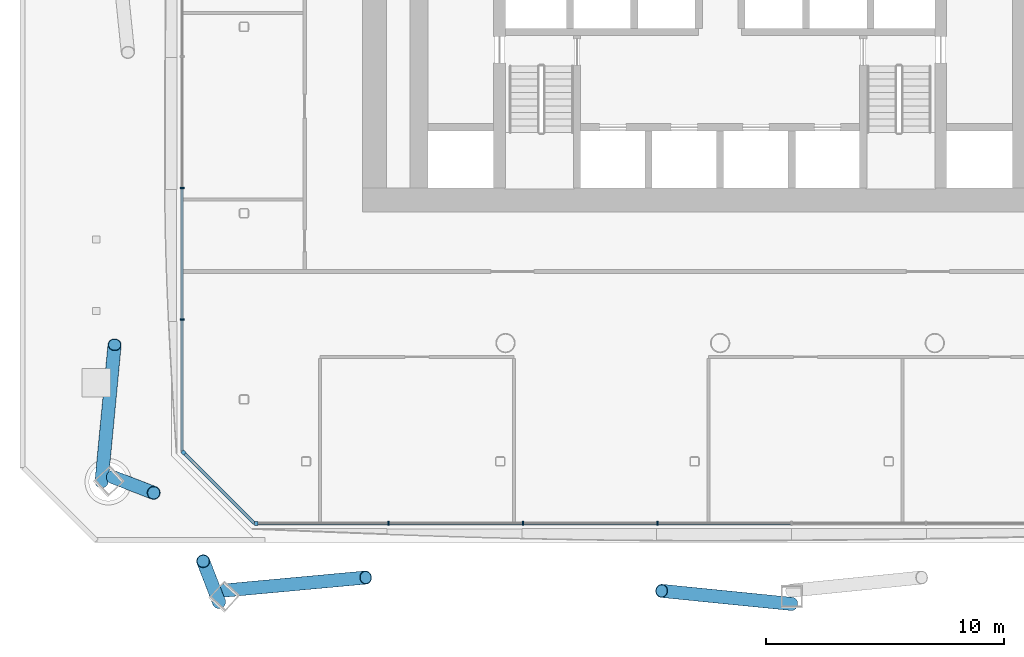
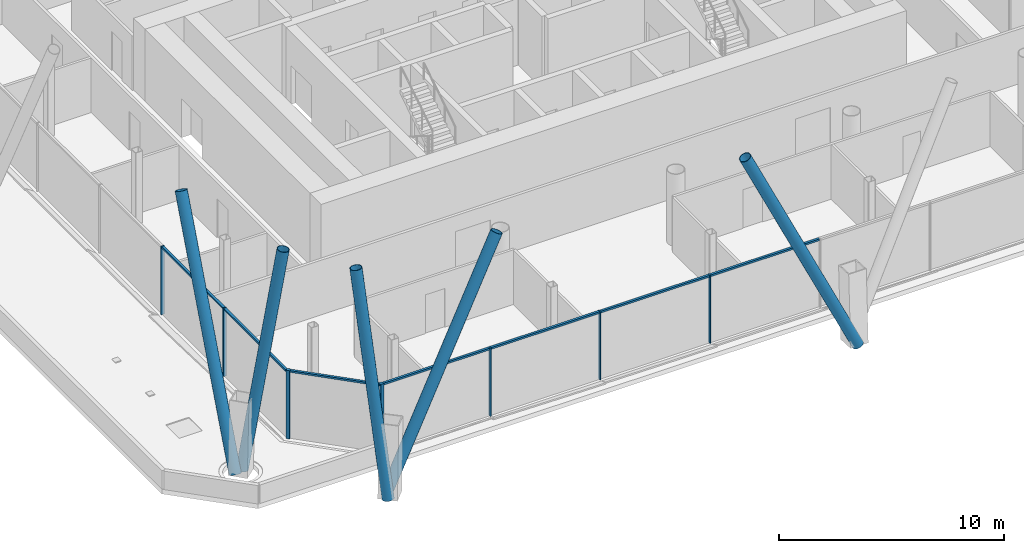
# One storey, part 4 of 23: 19 members, 3 elements without a shape of their own.
"""IFC4 building model written with IfcOpenShell, lengths in metres."""

from ifc_helpers import new_model, si_unit, direction, frame, origin, origin_2d, place, context, subcontext, project, spatial, rectangle, hollow_circle, extrude, material, material_profile, profile_set, type_object, element, aggregate, save


model = new_model("IFC4")

# Units and contexts
model_context = context("Model", 3, precision=1e-05, world=origin(), true_north=direction((0.0, 1.0)))
body_context = subcontext(model_context, "Body", "Model", "MODEL_VIEW")
ifc_project = project(units=[si_unit("LENGTHUNIT", "METRE"), si_unit("AREAUNIT", "SQUARE_METRE"), si_unit("VOLUMEUNIT", "CUBIC_METRE"), si_unit("PLANEANGLEUNIT", "RADIAN"), si_unit("MASSUNIT", "GRAM", prefix="KILO")], contexts=[model_context])

# Site, building, storey
site_placement = place(None, origin())
site = spatial("IfcSite", under=ifc_project, at=site_placement, CompositionType="ELEMENT")
building_placement = place(site_placement, origin())
building = spatial("IfcBuilding", under=site, at=building_placement, Name="Tskaro Facet Tower", CompositionType="ELEMENT")
storey_placement = place(building_placement, frame((0.0, 0.0, 62.10009765625)))
storey = spatial("IfcBuildingStorey", under=building, at=storey_placement, Name="L14", CompositionType="ELEMENT", Elevation=62.10009765625)

# Members
ifc_material_1 = material(Name="Steel S355J2H", Category="steel")
ifc_material_profile_1 = material_profile(ifc_material_1, hollow_circle(Radius=0.279541015625, WallThickness=0.02490234375, at=origin_2d()), Name="CHS 559x25")
ifc_profile_set_1 = profile_set([ifc_material_profile_1], Name="Steel S355J2H")
member_type_1 = type_object("IfcMemberType", Name="CHS 559x25 brace", PredefinedType="BRACE", material=ifc_profile_set_1)
member_1_placement = place(storey_placement, frame((-20.81591796875, -28.37939453125, 0.0), z_axis=(0.453138503043, 0.041696100415, 0.890464447505), x_axis=(-0.091629144375, 0.995793201373, 0.0)))
element("IfcMember", 1, at=member_1_placement, inside=storey, type_object=member_type_1, Name="CHS 559x25 XB01A/2", PredefinedType="BRACE", context=body_context, shape_type="SweptSolid", body=[
    extrude(hollow_circle(Radius=0.279541015625, WallThickness=0.02490234375, at=origin_2d()), origin(), (0.0, 0.0, 1.0), 13.13916015625),
])
member_2_placement = place(storey_placement, frame((3.0, -28.9384765625, 0.0), z_axis=(-0.422115796899, 0.042421324322, 0.905548830959), x_axis=(-0.099993210447, -0.994988119459, 0.0)))
element("IfcMember", 2, at=member_2_placement, inside=storey, type_object=member_type_1, Name="CHS 559x25 XB01B/2", PredefinedType="BRACE", context=body_context, shape_type="SweptSolid", body=[
    extrude(hollow_circle(Radius=0.279541015625, WallThickness=0.02490234375, at=origin_2d()), origin(), (0.0, 0.0, 1.0), 12.920166015625),
])
member_3_placement = place(storey_placement, frame((-25.9384765625, -23.81591796875, 0.0), z_axis=(0.042013546474, 0.440346881302, 0.896844181583), x_axis=(-0.995479295976, 0.094978793857, 0.0)))
element("IfcMember", 3, at=member_3_placement, inside=storey, type_object=member_type_1, Name="CHS 559x25 XB11B/2", PredefinedType="BRACE", context=body_context, shape_type="SweptSolid", body=[
    extrude(hollow_circle(Radius=0.279541015625, WallThickness=0.02490234375, at=origin_2d()), origin(), (0.0, 0.0, 1.0), 13.045654296875),
])
for number, where, z_axis, x_axis, name in (
    (4, (-25.46142578125, -23.618408203125, 0.0), (0.144489181961, -0.055948586081, 0.987923393797), (0.361091147077, 0.932530526847, 0.0), "CHS 559x25 XB12A/2"),
    (5, (-21.013671875, -28.856689453125, 0.0), (-0.055948752719, 0.144468997442, 0.987926336245), (-0.932513175967, -0.361135953136, 0.0), "CHS 559x25 XB12B/2"),
):
    element("IfcMember", number, at=place(storey_placement, frame(where, z_axis=z_axis, x_axis=x_axis)), inside=storey, type_object=member_type_1, Name=name, PredefinedType="BRACE", context=body_context, shape_type="SweptSolid", body=[
        extrude(hollow_circle(Radius=0.279541015625, WallThickness=0.02490234375, at=origin_2d()), origin(), (0.0, 0.0, 1.0), 11.843017578125),
    ])

# Curtain wall, member
ifc_material_2 = material(Name="Bronze anodised aluminium 6063-T6", Category="aluminium")
curtain_wall_type = type_object("IfcCurtainWallType", Name="Bronze office curtain wall (FW1)", PredefinedType="NOTDEFINED", material=ifc_material_2)
curtain_wall_1_placement = place(storey_placement, origin())
curtain_wall_1 = element("IfcCurtainWall", 6, at=curtain_wall_1_placement, inside=storey, type_object=curtain_wall_type, Name="FW1 south facet L14", PredefinedType="NOTDEFINED")
ifc_material_profile_2 = material_profile(ifc_material_2, rectangle(XDim=0.159912109375, YDim=0.159912109375, at=origin_2d()), Name="Corner post 160x160")
ifc_profile_set_2 = profile_set([ifc_material_profile_2], Name="Bronze anodised aluminium 6063-T6")
member_type_2 = type_object("IfcMemberType", Name="FW1 bronze corner post 160x160", PredefinedType="MULLION", material=ifc_profile_set_2)
member_4_placement = place(storey_placement, frame((-19.450927734375, -25.55908203125, 0.0), z_axis=(0.0, 0.0, 1.0), x_axis=(1.0, 0.0, 0.0)))
member_4 = element("IfcMember", 7, at=member_4_placement, type_object=member_type_2, Name="FW1 south corner post", PredefinedType="MULLION", context=body_context, shape_type="SweptSolid", body=[
    extrude(rectangle(XDim=0.159912109375, YDim=0.159912109375, at=origin_2d()), origin(), (0.0, 0.0, 1.0), 3.699951171875),
])

curtain_wall_2_placement = place(storey_placement, origin())
curtain_wall_2 = element("IfcCurtainWall", 8, at=curtain_wall_2_placement, inside=storey, type_object=curtain_wall_type, Name="FW1 south-west facet L14", PredefinedType="NOTDEFINED")
member_5_placement = place(storey_placement, frame((-22.50244140625, -22.587646484375, 0.0), z_axis=(0.0, 0.0, 1.0), x_axis=(0.707106781187, -0.707106781187, 0.0)))
member_5 = element("IfcMember", 9, at=member_5_placement, type_object=member_type_2, Name="FW1 south-west corner post", PredefinedType="MULLION", context=body_context, shape_type="SweptSolid", body=[
    extrude(rectangle(XDim=0.159912109375, YDim=0.159912109375, at=origin_2d()), origin(), (0.0, 0.0, 1.0), 3.699951171875),
])

# Member
ifc_material_profile_3 = material_profile(ifc_material_2, rectangle(XDim=0.06005859375, YDim=0.159912109375, at=origin_2d()), Name="Mullion 60x160")
ifc_profile_set_3 = profile_set([ifc_material_profile_3], Name="Bronze anodised aluminium 6063-T6")
member_type_3 = type_object("IfcMemberType", Name="FW1 bronze mullion 60x160", PredefinedType="MULLION", material=ifc_profile_set_3)
member_6_placement = place(storey_placement, frame((-13.898193359375, -25.55908203125, 0.0), z_axis=(0.0, 0.0, 1.0), x_axis=(1.0, 0.0, 0.0)))
member_6 = element("IfcMember", 10, at=member_6_placement, type_object=member_type_3, Name="FW1 south mullion 1", PredefinedType="MULLION", context=body_context, shape_type="SweptSolid", body=[
    extrude(rectangle(XDim=0.06005859375, YDim=0.159912109375, at=origin_2d()), origin(), (0.0, 0.0, 1.0), 3.699951171875),
])

member_7_placement = place(storey_placement, frame((-8.265380859375, -25.55908203125, 0.0), z_axis=(0.0, 0.0, 1.0), x_axis=(1.0, 0.0, 0.0)))
member_7 = element("IfcMember", 11, at=member_7_placement, type_object=member_type_3, Name="FW1 south mullion 2", PredefinedType="MULLION", context=body_context, shape_type="SweptSolid", body=[
    extrude(rectangle(XDim=0.06005859375, YDim=0.159912109375, at=origin_2d()), origin(), (0.0, 0.0, 1.0), 3.699951171875),
])

member_8_placement = place(storey_placement, frame((-2.6328125, -25.55908203125, 0.0), z_axis=(0.0, 0.0, 1.0), x_axis=(1.0, 0.0, 0.0)))
member_8 = element("IfcMember", 12, at=member_8_placement, type_object=member_type_3, Name="FW1 south mullion 3", PredefinedType="MULLION", context=body_context, shape_type="SweptSolid", body=[
    extrude(rectangle(XDim=0.06005859375, YDim=0.159912109375, at=origin_2d()), origin(), (0.0, 0.0, 1.0), 3.699951171875),
])

# Curtain wall, members
curtain_wall_3_placement = place(storey_placement, origin())
curtain_wall_3 = element("IfcCurtainWall", 13, at=curtain_wall_3_placement, inside=storey, type_object=curtain_wall_type, Name="FW1 west facet L14", PredefinedType="NOTDEFINED")
member_9_placement = place(storey_placement, frame((-22.55908203125, -11.504638671875, 0.0), z_axis=(0.0, 0.0, 1.0), x_axis=(0.0, -1.0, 0.0)))
member_9 = element("IfcMember", 14, at=member_9_placement, type_object=member_type_3, Name="FW1 west mullion 6", PredefinedType="MULLION", context=body_context, shape_type="SweptSolid", body=[
    extrude(rectangle(XDim=0.06005859375, YDim=0.159912109375, at=origin_2d()), origin(), (0.0, 0.0, 1.0), 3.699951171875),
])
member_10_placement = place(storey_placement, frame((-22.55908203125, -17.017822265625, 0.0), z_axis=(0.0, 0.0, 1.0), x_axis=(0.0, -1.0, 0.0)))
member_10 = element("IfcMember", 15, at=member_10_placement, type_object=member_type_3, Name="FW1 west mullion 7", PredefinedType="MULLION", context=body_context, shape_type="SweptSolid", body=[
    extrude(rectangle(XDim=0.06005859375, YDim=0.159912109375, at=origin_2d()), origin(), (0.0, 0.0, 1.0), 3.699951171875),
])

# Member
ifc_material_profile_4 = material_profile(ifc_material_2, rectangle(XDim=0.1201171875, YDim=0.10009765625, at=origin_2d()), Name="Transom 120x100")
ifc_profile_set_4 = profile_set([ifc_material_profile_4], Name="Bronze anodised aluminium 6063-T6")
member_type_4 = type_object("IfcMemberType", Name="FW1 bronze transom 120x100", PredefinedType="USERDEFINED", material=ifc_profile_set_4)
member_11_placement = place(storey_placement, frame((-19.37109375, -25.55908203125, 3.64990234375), z_axis=(1.0, 0.0, 0.0), x_axis=(0.0, 1.0, 0.0)))
member_11 = element("IfcMember", 16, at=member_11_placement, type_object=member_type_4, Name="FW1 south transom 1.1", ObjectType="TRANSOM", PredefinedType="USERDEFINED", context=body_context, shape_type="SweptSolid", body=[
    extrude(rectangle(XDim=0.1201171875, YDim=0.10009765625, at=origin_2d()), origin(), (0.0, 0.0, 1.0), 5.44287109375),
])

member_12_placement = place(storey_placement, frame((-13.8681640625, -25.55908203125, 3.64990234375), z_axis=(1.0, 0.0, 0.0), x_axis=(0.0, 1.0, 0.0)))
member_12 = element("IfcMember", 17, at=member_12_placement, type_object=member_type_4, Name="FW1 south transom 2.1", ObjectType="TRANSOM", PredefinedType="USERDEFINED", context=body_context, shape_type="SweptSolid", body=[
    extrude(rectangle(XDim=0.1201171875, YDim=0.10009765625, at=origin_2d()), origin(), (0.0, 0.0, 1.0), 5.57275390625),
])

member_13_placement = place(storey_placement, frame((-8.235595703125, -25.55908203125, 3.64990234375), z_axis=(1.0, 0.0, 0.0), x_axis=(0.0, 1.0, 0.0)))
member_13 = element("IfcMember", 18, at=member_13_placement, type_object=member_type_4, Name="FW1 south transom 3.1", ObjectType="TRANSOM", PredefinedType="USERDEFINED", context=body_context, shape_type="SweptSolid", body=[
    extrude(rectangle(XDim=0.1201171875, YDim=0.10009765625, at=origin_2d()), origin(), (0.0, 0.0, 1.0), 5.57275390625),
])

member_14_placement = place(storey_placement, frame((-2.602783203125, -25.55908203125, 3.64990234375), z_axis=(1.0, 0.0, 0.0), x_axis=(0.0, 1.0, 0.0)))
member_14 = element("IfcMember", 19, at=member_14_placement, type_object=member_type_4, Name="FW1 south transom 4.1", ObjectType="TRANSOM", PredefinedType="USERDEFINED", context=body_context, shape_type="SweptSolid", body=[
    extrude(rectangle(XDim=0.1201171875, YDim=0.10009765625, at=origin_2d()), origin(), (0.0, 0.0, 1.0), 5.57275390625),
])

aggregate(curtain_wall_1, [member_4, member_6, member_7, member_8, member_11, member_12, member_13, member_14])

member_15_placement = place(storey_placement, frame((-22.55908203125, -11.53466796875, 3.64990234375), z_axis=(0.0, -1.0, 0.0), x_axis=(1.0, 0.0, 0.0)))
member_15 = element("IfcMember", 20, at=member_15_placement, type_object=member_type_4, Name="FW1 west transom 7.1", ObjectType="TRANSOM", PredefinedType="USERDEFINED", context=body_context, shape_type="SweptSolid", body=[
    extrude(rectangle(XDim=0.1201171875, YDim=0.10009765625, at=origin_2d()), origin(), (0.0, 0.0, 1.0), 5.453125),
])

member_16_placement = place(storey_placement, frame((-22.55908203125, -17.0478515625, 3.64990234375), z_axis=(0.0, -1.0, 0.0), x_axis=(1.0, 0.0, 0.0)))
member_16 = element("IfcMember", 21, at=member_16_placement, type_object=member_type_4, Name="FW1 west transom 8.1", ObjectType="TRANSOM", PredefinedType="USERDEFINED", context=body_context, shape_type="SweptSolid", body=[
    extrude(rectangle(XDim=0.1201171875, YDim=0.10009765625, at=origin_2d()), origin(), (0.0, 0.0, 1.0), 5.483154296875),
])

aggregate(curtain_wall_3, [member_9, member_10, member_15, member_16])

member_17_placement = place(storey_placement, frame((-22.44580078125, -22.64404296875, 3.64990234375), z_axis=(0.70707716849, -0.707136392643, 0.0), x_axis=(0.707136392643, 0.70707716849, 0.0)))
member_17 = element("IfcMember", 22, at=member_17_placement, type_object=member_type_4, Name="FW1 south-west transom 1.1", ObjectType="TRANSOM", PredefinedType="USERDEFINED", context=body_context, shape_type="SweptSolid", body=[
    extrude(rectangle(XDim=0.1201171875, YDim=0.10009765625, at=origin_2d()), origin(), (0.0, 0.0, 1.0), 4.122314453125),
])

aggregate(curtain_wall_2, [member_5, member_17])

save(model, "model.ifc")
